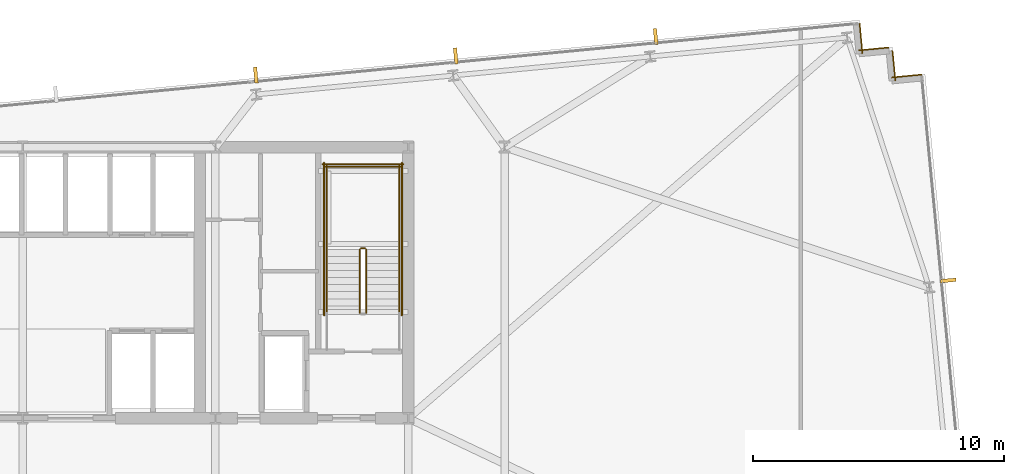
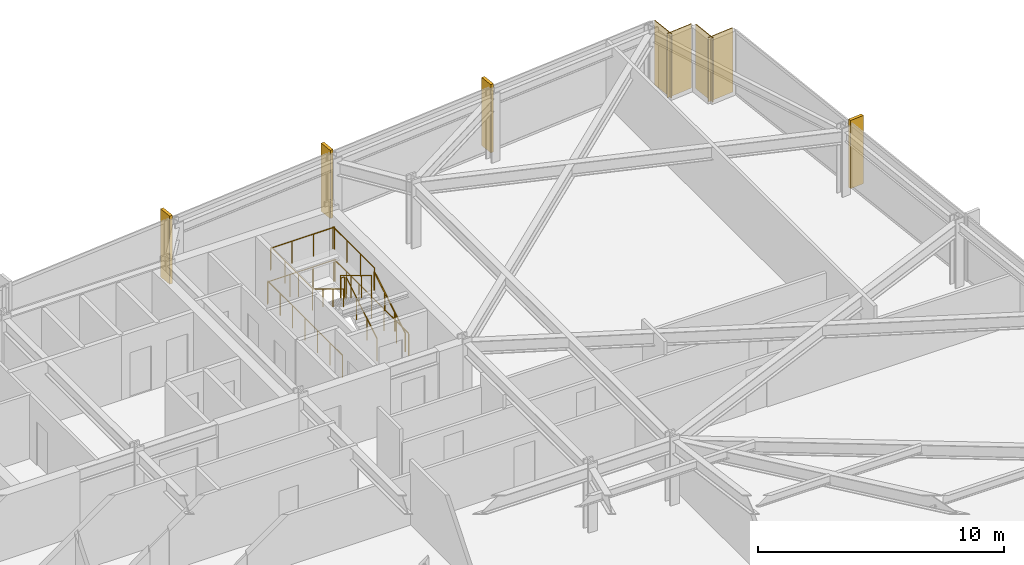
# One storey, part 32 of 32: 11 railings, 4 coverings, 4 shading devices.
"""IFC4 building model written with IfcOpenShell, lengths in metres."""

from ifc_helpers import new_model, si_unit, direction, frame, frame_2d, origin, origin_2d, place, context, subcontext, project, spatial, rectangle, circle, extrude, material, layer, layer_set, type_object, element, save


model = new_model("IFC4")

# Units and contexts
model_context = context("Model", 3, precision=1e-05, world=origin(), true_north=direction((0.0, 1.0)))
body_context = subcontext(model_context, "Body", "Model", "MODEL_VIEW")
ifc_project = project(units=[si_unit("LENGTHUNIT", "METRE"), si_unit("AREAUNIT", "SQUARE_METRE"), si_unit("VOLUMEUNIT", "CUBIC_METRE"), si_unit("PLANEANGLEUNIT", "RADIAN"), si_unit("MASSUNIT", "GRAM", prefix="KILO")], contexts=[model_context])

# Site, building, storey
site_placement = place(None, origin())
site = spatial("IfcSite", under=ifc_project, at=site_placement, CompositionType="ELEMENT")
building_placement = place(site_placement, origin())
building = spatial("IfcBuilding", under=site, at=building_placement, Name="Yelkora Congress Tower", CompositionType="ELEMENT")
storey_placement = place(building_placement, frame((0.0, 0.0, 113.5)))
storey = spatial("IfcBuildingStorey", under=building, at=storey_placement, Name="L30", CompositionType="ELEMENT", Elevation=113.5)

# Coverings
ifc_material_1 = material(Name="Anatolian bush-hammered limestone", Category="masonry")
ifc_layer_1 = layer(ifc_material_1, 0.0400390625)
ifc_layer_set_1 = layer_set([ifc_layer_1], Name="Anatolian bush-hammered limestone")
covering_type = type_object("IfcCoveringType", Name="COV-CLAD-SPANDREL-40", PredefinedType="CLADDING", material=ifc_layer_set_1)
for number, where, z_axis, x_axis, name in (
    (1, (71.74609375, 51.1279296875, 0.0), (0.0, 0.0, 1.0), (0.095817067274, -0.995398960025, 0.0), "L30 Anatolian Limestone Cladding EW-L30-SR11"),
    (2, (71.7138671875, 50.0546875, 0.0), (0.0, 0.0, 1.0), (0.995379537303, 0.096018626938, 0.0), "L30 Anatolian Limestone Cladding EW-L30-SR12"),
):
    element("IfcCovering", number, at=place(storey_placement, frame(where, z_axis=z_axis, x_axis=x_axis)), inside=storey, type_object=covering_type, Name=name, PredefinedType="CLADDING", context=body_context, shape_type="SweptSolid", body=[
        extrude(rectangle(XDim=1.2001953125, YDim=0.0400390625, at=frame_2d((0.60009765625, 0.0))), origin(), (0.0, 0.0, 1.0), 3.179931640625),
    ])
covering_1_placement = place(storey_placement, frame((73.0556640625, 50.04833984375, 0.0), z_axis=(0.0, 0.0, 1.0), x_axis=(0.095836473879, -0.995397091755, 0.0)))
element("IfcCovering", 3, at=covering_1_placement, inside=storey, type_object=covering_type, Name="L30 Anatolian Limestone Cladding EW-L30-SR13", PredefinedType="CLADDING", context=body_context, shape_type="SweptSolid", body=[
    extrude(rectangle(XDim=1.199951171875, YDim=0.0400390625, at=frame_2d((0.60009765625, 0.0))), origin(), (0.0, 0.0, 1.0), 3.179931640625),
])
covering_2_placement = place(storey_placement, frame((73.0234375, 48.975341796875, 0.0), z_axis=(0.0, 0.0, 1.0), x_axis=(0.995398960025, 0.095817067274, 0.0)))
element("IfcCovering", 4, at=covering_2_placement, inside=storey, type_object=covering_type, Name="L30 Anatolian Limestone Cladding EW-L30-SR14", PredefinedType="CLADDING", context=body_context, shape_type="SweptSolid", body=[
    extrude(rectangle(XDim=1.2001953125, YDim=0.0400390625, at=frame_2d((0.60009765625, 0.0))), origin(), (0.0, 0.0, 1.0), 3.179931640625),
])

# Railings
ifc_material_2 = material(Name="Painted galvanised steel stair well guard with vertical infill", Category="steel")
ifc_layer_2 = layer(ifc_material_2, 0.06005859375)
ifc_layer_set_2 = layer_set([ifc_layer_2], Name="Painted galvanised steel stair well guard with vertical infill")
railing_type_1 = type_object("IfcRailingType", Name="RAIL-STAIR-GUARD-1120", PredefinedType="GUARDRAIL", material=ifc_layer_set_2)
railing_1_placement = place(storey_placement, frame((52.090087890625, 39.60009765625, 0.169921875)))
element("IfcRailing", 5, at=railing_1_placement, inside=storey, type_object=railing_type_1, Name="ST-02 L30 Stair Well Guardrail 1", PredefinedType="GUARDRAIL", context=body_context, shape_type="SweptSolid", body=[
    extrude(circle(Radius=0.02392578125, at=origin_2d()), frame((0.0, 0.0, 1.09619140625), z_axis=(0.0, 0.85478489116, 0.518982456201), x_axis=(-1.0, 0.0, 0.0)), (0.0, 0.0, 1.0), 2.9482421875),
    extrude(circle(Radius=0.02099609375, at=origin_2d()), origin(), (0.0, 0.0, 1.0), 1.072021484375),
    extrude(circle(Radius=0.02099609375, at=origin_2d()), frame((0.0, 0.840087890625, 0.510009765625)), (0.0, 0.0, 1.0), 1.072021484375),
    extrude(circle(Radius=0.02099609375, at=origin_2d()), frame((0.0, 1.679931640625, 1.02001953125)), (0.0, 0.0, 1.0), 1.072021484375),
    extrude(circle(Radius=0.02099609375, at=origin_2d()), frame((0.0, 2.52001953125, 1.530029296875)), (0.0, 0.0, 1.0), 1.072021484375),
])
railing_2_placement = place(storey_placement, frame((52.0400390625, 42.169921875, 1.699951171875)))
element("IfcRailing", 6, at=railing_2_placement, inside=storey, type_object=railing_type_1, Name="ST-02 L30 Stair Well Guardrail 2", PredefinedType="GUARDRAIL", context=body_context, shape_type="SweptSolid", body=[
    extrude(circle(Radius=0.02392578125, at=origin_2d()), frame((0.0, 0.0, 1.09619140625), z_axis=(-1.0, 0.0, 0.0), x_axis=(0.0, -1.0, 0.0)), (0.0, 0.0, 1.0), 0.16015625),
    extrude(circle(Radius=0.02099609375, at=origin_2d()), origin(), (0.0, 0.0, 1.0), 1.072021484375),
    extrude(circle(Radius=0.02099609375, at=origin_2d()), frame((-0.16015625, 0.0, 0.0)), (0.0, 0.0, 1.0), 1.072021484375),
])
for number, where, name in (
    (7, (53.409912109375, 42.1201171875, 1.699951171875), "ST-02 L30 Stair Well Guardrail 3"),
    (8, (50.510009765625, 42.1201171875, 1.699951171875), "ST-02 L30 Stair Well Guardrail 4"),
):
    element("IfcRailing", number, at=place(storey_placement, frame(where)), inside=storey, type_object=railing_type_1, Name=name, PredefinedType="GUARDRAIL", context=body_context, shape_type="SweptSolid", body=[
        extrude(circle(Radius=0.02392578125, at=origin_2d()), frame((0.0, 0.0, 1.09619140625), z_axis=(0.0, 1.0, 0.0), x_axis=(-1.0, 0.0, 0.0)), (0.0, 0.0, 1.0), 3.349853515625),
        extrude(circle(Radius=0.02099609375, at=origin_2d()), origin(), (0.0, 0.0, 1.0), 1.072021484375),
        extrude(circle(Radius=0.02099609375, at=origin_2d()), frame((0.0, 1.11669921875, 0.0)), (0.0, 0.0, 1.0), 1.072021484375),
        extrude(circle(Radius=0.02099609375, at=origin_2d()), frame((0.0, 2.233154296875, 0.0)), (0.0, 0.0, 1.0), 1.072021484375),
        extrude(circle(Radius=0.02099609375, at=origin_2d()), frame((0.0, 3.349853515625, 0.0)), (0.0, 0.0, 1.0), 1.072021484375),
    ])
railing_3_placement = place(storey_placement, frame((53.4599609375, 45.419921875, 1.699951171875)))
element("IfcRailing", 9, at=railing_3_placement, inside=storey, type_object=railing_type_1, Name="ST-02 L30 Stair Well Guardrail 5", PredefinedType="GUARDRAIL", context=body_context, shape_type="SweptSolid", body=[
    extrude(circle(Radius=0.02392578125, at=origin_2d()), frame((0.0, 0.0, 1.09619140625), z_axis=(-1.0, 0.0, 0.0), x_axis=(0.0, -1.0, 0.0)), (0.0, 0.0, 1.0), 3.0),
    extrude(circle(Radius=0.02099609375, at=origin_2d()), origin(), (0.0, 0.0, 1.0), 1.072021484375),
    extrude(circle(Radius=0.02099609375, at=origin_2d()), frame((-1.0, 0.0, 0.0)), (0.0, 0.0, 1.0), 1.072021484375),
    extrude(circle(Radius=0.02099609375, at=origin_2d()), frame((-2.0, 0.0, 0.0)), (0.0, 0.0, 1.0), 1.072021484375),
    extrude(circle(Radius=0.02099609375, at=origin_2d()), frame((-3.0, 0.0, 0.0)), (0.0, 0.0, 1.0), 1.072021484375),
])
railing_4_placement = place(storey_placement, frame((51.830078125, 42.1201171875, 1.8701171875)))
element("IfcRailing", 10, at=railing_4_placement, inside=storey, type_object=railing_type_1, Name="ST-02 L30 Stair Well Guardrail 6", PredefinedType="GUARDRAIL", context=body_context, shape_type="SweptSolid", body=[
    extrude(circle(Radius=0.02392578125, at=origin_2d()), frame((0.0, 0.0, 1.09619140625), z_axis=(0.0, -0.854821627497, 0.518921945155), x_axis=(1.0, 0.0, 0.0)), (0.0, 0.0, 1.0), 2.947998046875),
    extrude(circle(Radius=0.02099609375, at=origin_2d()), origin(), (0.0, 0.0, 1.0), 1.072021484375),
    extrude(circle(Radius=0.02099609375, at=origin_2d()), frame((0.0, -0.840087890625, 0.510009765625)), (0.0, 0.0, 1.0), 1.072021484375),
    extrude(circle(Radius=0.02099609375, at=origin_2d()), frame((0.0, -1.679931640625, 1.019775390625)), (0.0, 0.0, 1.0), 1.072021484375),
    extrude(circle(Radius=0.02099609375, at=origin_2d()), frame((0.0, -2.52001953125, 1.52978515625)), (0.0, 0.0, 1.0), 1.072021484375),
])
for number, where, name in (
    (11, (53.510009765625, 39.5, 0.0), "ST-02 L30 Stair Well Guardrail 10"),
    (12, (50.409912109375, 39.5, 0.0), "ST-02 L30 Stair Well Guardrail 11"),
):
    element("IfcRailing", number, at=place(storey_placement, frame(where)), inside=storey, type_object=railing_type_1, Name=name, PredefinedType="GUARDRAIL", context=body_context, shape_type="SweptSolid", body=[
        extrude(circle(Radius=0.02392578125, at=origin_2d()), frame((0.0, 0.0, 1.09619140625), z_axis=(0.0, 1.0, 0.0), x_axis=(-1.0, 0.0, 0.0)), (0.0, 0.0, 1.0), 6.070068359375),
        extrude(circle(Radius=0.02099609375, at=origin_2d()), origin(), (0.0, 0.0, 1.0), 1.072021484375),
        extrude(circle(Radius=0.02099609375, at=origin_2d()), frame((0.0, 1.01171875, 0.0)), (0.0, 0.0, 1.0), 1.072021484375),
        extrude(circle(Radius=0.02099609375, at=origin_2d()), frame((0.0, 2.0234375, 0.0)), (0.0, 0.0, 1.0), 1.072021484375),
        extrude(circle(Radius=0.02099609375, at=origin_2d()), frame((0.0, 3.03515625, 0.0)), (0.0, 0.0, 1.0), 1.072021484375),
        extrude(circle(Radius=0.02099609375, at=origin_2d()), frame((0.0, 4.046630859375, 0.0)), (0.0, 0.0, 1.0), 1.072021484375),
        extrude(circle(Radius=0.02099609375, at=origin_2d()), frame((0.0, 5.058349609375, 0.0)), (0.0, 0.0, 1.0), 1.072021484375),
        extrude(circle(Radius=0.02099609375, at=origin_2d()), frame((0.0, 6.070068359375, 0.0)), (0.0, 0.0, 1.0), 1.072021484375),
    ])
railing_5_placement = place(storey_placement, frame((53.56005859375, 45.52001953125, 0.0)))
element("IfcRailing", 13, at=railing_5_placement, inside=storey, type_object=railing_type_1, Name="ST-02 L30 Stair Well Guardrail 12", PredefinedType="GUARDRAIL", context=body_context, shape_type="SweptSolid", body=[
    extrude(circle(Radius=0.02392578125, at=origin_2d()), frame((0.0, 0.0, 1.09619140625), z_axis=(-1.0, 0.0, 0.0), x_axis=(0.0, -1.0, 0.0)), (0.0, 0.0, 1.0), 3.199951171875),
    extrude(circle(Radius=0.02099609375, at=origin_2d()), origin(), (0.0, 0.0, 1.0), 1.072021484375),
    extrude(circle(Radius=0.02099609375, at=origin_2d()), frame((-1.066650390625, 0.0, 0.0)), (0.0, 0.0, 1.0), 1.072021484375),
    extrude(circle(Radius=0.02099609375, at=origin_2d()), frame((-2.13330078125, 0.0, 0.0)), (0.0, 0.0, 1.0), 1.072021484375),
    extrude(circle(Radius=0.02099609375, at=origin_2d()), frame((-3.199951171875, 0.0, 0.0)), (0.0, 0.0, 1.0), 1.072021484375),
])
ifc_material_3 = material(Name="Brushed stainless steel tubular handrail", Category="steel")
ifc_layer_3 = layer(ifc_material_3, 0.050048828125)
ifc_layer_set_3 = layer_set([ifc_layer_3], Name="Brushed stainless steel tubular handrail")
railing_type_2 = type_object("IfcRailingType", Name="RAIL-STAIR-HAND-920", PredefinedType="HANDRAIL", material=ifc_layer_set_3)
railing_6_placement = place(storey_placement, frame((53.409912109375, 39.60009765625, 0.169921875)))
element("IfcRailing", 14, at=railing_6_placement, inside=storey, type_object=railing_type_2, Name="ST-02 L30 Pitch Handrail 1", PredefinedType="HANDRAIL", context=body_context, shape_type="SweptSolid", body=[
    extrude(circle(Radius=0.02392578125, at=origin_2d()), frame((0.0, 0.0, 0.89599609375), z_axis=(0.0, 0.85478489116, 0.518982456201), x_axis=(-1.0, 0.0, 0.0)), (0.0, 0.0, 1.0), 2.9482421875),
    extrude(circle(Radius=0.02099609375, at=origin_2d()), origin(), (0.0, 0.0, 1.0), 0.871826171875),
    extrude(circle(Radius=0.02099609375, at=origin_2d()), frame((0.0, 0.840087890625, 0.510009765625)), (0.0, 0.0, 1.0), 0.871826171875),
    extrude(circle(Radius=0.02099609375, at=origin_2d()), frame((0.0, 1.679931640625, 1.02001953125)), (0.0, 0.0, 1.0), 0.871826171875),
    extrude(circle(Radius=0.02099609375, at=origin_2d()), frame((0.0, 2.52001953125, 1.530029296875)), (0.0, 0.0, 1.0), 0.871826171875),
])
railing_7_placement = place(storey_placement, frame((50.510009765625, 42.1201171875, 1.8701171875)))
element("IfcRailing", 15, at=railing_7_placement, inside=storey, type_object=railing_type_2, Name="ST-02 L30 Pitch Handrail 2", PredefinedType="HANDRAIL", context=body_context, shape_type="SweptSolid", body=[
    extrude(circle(Radius=0.02392578125, at=origin_2d()), frame((0.0, 0.0, 0.89599609375), z_axis=(0.0, -0.854821627497, 0.518921945155), x_axis=(1.0, 0.0, 0.0)), (0.0, 0.0, 1.0), 2.947998046875),
    extrude(circle(Radius=0.02099609375, at=origin_2d()), origin(), (0.0, 0.0, 1.0), 0.871826171875),
    extrude(circle(Radius=0.02099609375, at=origin_2d()), frame((0.0, -0.840087890625, 0.510009765625)), (0.0, 0.0, 1.0), 0.871826171875),
    extrude(circle(Radius=0.02099609375, at=origin_2d()), frame((0.0, -1.679931640625, 1.019775390625)), (0.0, 0.0, 1.0), 0.871826171875),
    extrude(circle(Radius=0.02099609375, at=origin_2d()), frame((0.0, -2.52001953125, 1.52978515625)), (0.0, 0.0, 1.0), 0.871826171875),
])

# Shading devices
ifc_material_4 = material(Name="Champagne anodised aluminium", Category="aluminium")
ifc_layer_4 = layer(ifc_material_4, 3.39990234375)
ifc_layer_set_4 = layer_set([ifc_layer_4], Name="Champagne anodised aluminium")
shading_device_type = type_object("IfcShadingDeviceType", Name="SHD-FIN-ALU-640", PredefinedType="USERDEFINED", material=ifc_layer_set_4)
for number, where, z_axis, x_axis, name in (
    (16, (47.68896484375, 49.072509765625, -0.030029296875), (0.0, 0.0, 1.0), (0.995396198367, 0.09584575252, 0.0), "L30 Vertical Anodised Solar Fin 10-4"),
    (17, (55.65478515625, 49.839599609375, -0.030029296875), (0.0, 0.0, 1.0), (0.995396198367, 0.09584575252, 0.0), "L30 Vertical Anodised Solar Fin 10-5"),
    (18, (63.620849609375, 50.606689453125, -0.030029296875), (0.0, 0.0, 1.0), (0.995396198367, 0.09584575252, 0.0), "L30 Vertical Anodised Solar Fin 10-6"),
    (19, (75.268798828125, 40.888427734375, -0.030029296875), (0.0, 0.0, 1.0), (0.09584575252, -0.995396198367, 0.0), "L30 Vertical Anodised Solar Fin 15-1"),
):
    element("IfcShadingDevice", number, at=place(storey_placement, frame(where, z_axis=z_axis, x_axis=x_axis)), inside=storey, type_object=shading_device_type, Name=name, ObjectType="FIN", PredefinedType="USERDEFINED", context=body_context, shape_type="SweptSolid", body=[
        extrude(rectangle(XDim=0.139892578125, YDim=0.639892578125, at=origin_2d()), origin(), (0.0, 0.0, 1.0), 3.3798828125),
    ])

save(model, "model.ifc")
